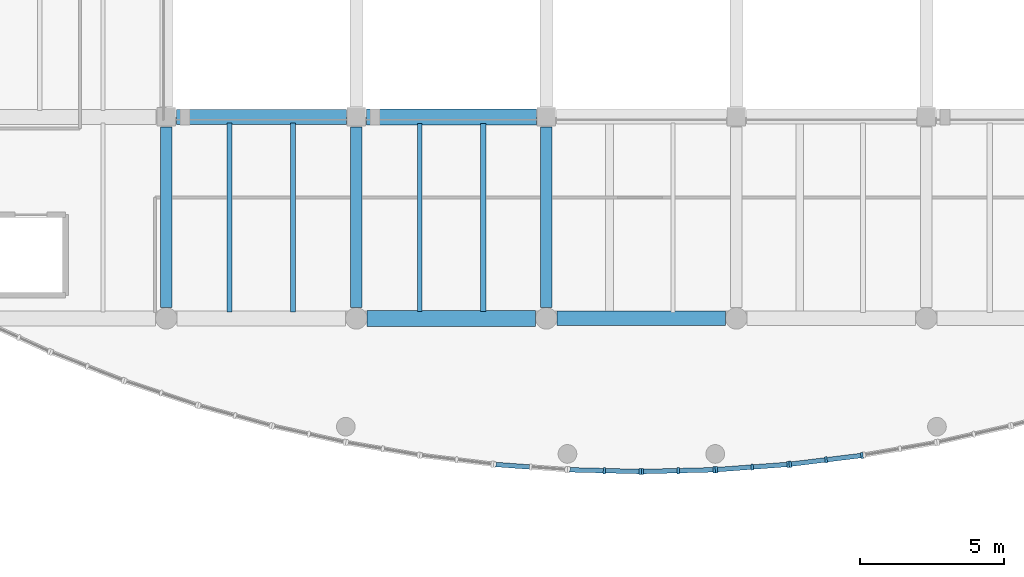
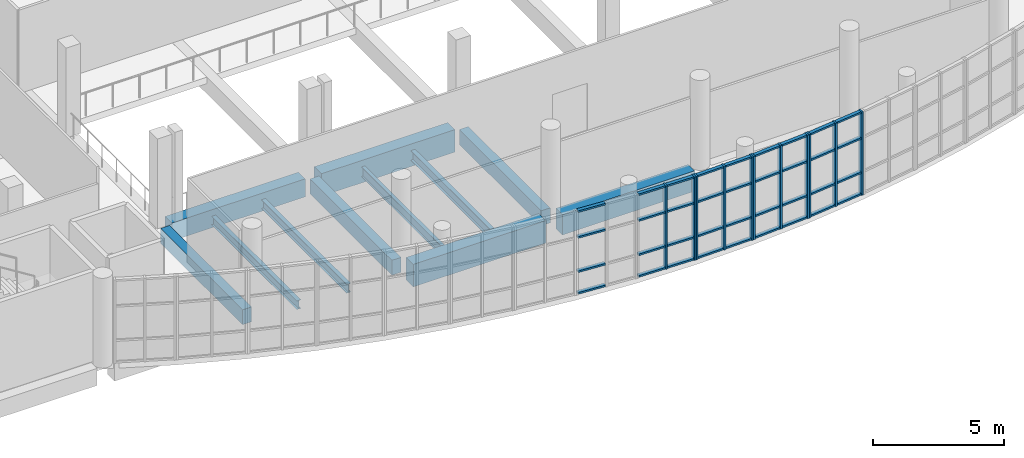
# One storey, part 12 of 68: 47 members, 11 beams, 5 elements without a shape of their own.
"""IFC4 building model written with IfcOpenShell, lengths in metres."""

from ifc_helpers import new_model, si_unit, direction, frame, origin, origin_2d, place, context, subcontext, project, spatial, rectangle, i_section, extrude, material, material_profile, profile_set, type_object, element, aggregate, save


model = new_model("IFC4")

# Units and contexts
model_context = context("Model", 3, precision=1e-05, world=origin(), true_north=direction((0.0, 1.0)))
body_context = subcontext(model_context, "Body", "Model", "MODEL_VIEW")
ifc_project = project(units=[si_unit("LENGTHUNIT", "METRE"), si_unit("AREAUNIT", "SQUARE_METRE"), si_unit("VOLUMEUNIT", "CUBIC_METRE"), si_unit("PLANEANGLEUNIT", "RADIAN"), si_unit("MASSUNIT", "GRAM", prefix="KILO")], contexts=[model_context])

# Site, building, storey
site_placement = place(None, origin())
site = spatial("IfcSite", under=ifc_project, at=site_placement, CompositionType="ELEMENT")
building_placement = place(site_placement, origin())
building = spatial("IfcBuilding", under=site, at=building_placement, Name="Ciguamira Faculty of Natural Sciences", CompositionType="ELEMENT")
storey_placement = place(building_placement, frame((0.0, 0.0, 4.199951171875)))
storey = spatial("IfcBuildingStorey", under=building, at=storey_placement, Name="L01", CompositionType="ELEMENT", Elevation=4.199951171875)

# Curtain wall, members
ifc_material_1 = material(Name="Anodized aluminium curtain wall", Category="aluminium")
curtain_wall_type_1 = type_object("IfcCurtainWallType", Name="CurtainWall_CW-08", PredefinedType="USERDEFINED", material=ifc_material_1)
curtain_wall_1_placement = place(storey_placement, origin())
curtain_wall_1 = element("IfcCurtainWall", 1, at=curtain_wall_1_placement, inside=storey, type_object=curtain_wall_type_1, Name="L01 south gallery curved curtain wall 09", ObjectType="UNITISED CURTAIN WALL", PredefinedType="USERDEFINED")
ifc_material_2 = material(Name="Anodized aluminium mullion", Category="aluminium")
ifc_material_profile_1 = material_profile(ifc_material_2, rectangle(XDim=0.080078125, YDim=0.219970703125, at=origin_2d()), Name="ALU-MUL-80X220")
ifc_profile_set_1 = profile_set([ifc_material_profile_1], Name="Anodized aluminium mullion")
member_type_1 = type_object("IfcMemberType", Name="CWMullion_CWM-03", PredefinedType="MULLION", material=ifc_profile_set_1)
member_1_placement = place(storey_placement, frame((85.716552734375, 4.7099609375, 0.0), z_axis=(0.0, 0.0, 1.0), x_axis=(0.999703662415, -0.024343117197, 0.0)))
member_1 = element("IfcMember", 2, at=member_1_placement, type_object=member_type_1, Name="CW-08 mullion 2", PredefinedType="MULLION", context=body_context, shape_type="SweptSolid", body=[
    extrude(rectangle(XDim=0.080078125, YDim=0.219970703125, at=origin_2d()), origin(), (0.0, 0.0, 1.0), 3.900146484375),
])
member_2_placement = place(storey_placement, frame((86.9599609375, 4.6796875, 0.0), z_axis=(0.0, 0.0, 1.0), x_axis=(0.999703662415, -0.024343117197, 0.0)))
member_2 = element("IfcMember", 3, at=member_2_placement, type_object=member_type_1, Name="CW-08 mullion 3", PredefinedType="MULLION", context=body_context, shape_type="SweptSolid", body=[
    extrude(rectangle(XDim=0.080078125, YDim=0.219970703125, at=origin_2d()), origin(), (0.0, 0.0, 1.0), 3.900146484375),
])

curtain_wall_type_2 = type_object("IfcCurtainWallType", Name="CurtainWall_CW-09", PredefinedType="USERDEFINED", material=ifc_material_1)
curtain_wall_2_placement = place(storey_placement, origin())
curtain_wall_2 = element("IfcCurtainWall", 4, at=curtain_wall_2_placement, inside=storey, type_object=curtain_wall_type_2, Name="L01 south gallery curved curtain wall 10", ObjectType="UNITISED CURTAIN WALL", PredefinedType="USERDEFINED")
member_3_placement = place(storey_placement, frame((87.0400390625, 4.6796875, 0.0), z_axis=(0.0, 0.0, 1.0), x_axis=(0.999703662415, 0.024343117197, 0.0)))
member_3 = element("IfcMember", 5, at=member_3_placement, type_object=member_type_1, Name="CW-09 mullion 1", PredefinedType="MULLION", context=body_context, shape_type="SweptSolid", body=[
    extrude(rectangle(XDim=0.080078125, YDim=0.219970703125, at=origin_2d()), origin(), (0.0, 0.0, 1.0), 3.900146484375),
])
member_4_placement = place(storey_placement, frame((88.283447265625, 4.7099609375, 0.0), z_axis=(0.0, 0.0, 1.0), x_axis=(0.999703662415, 0.024343117197, 0.0)))
member_4 = element("IfcMember", 6, at=member_4_placement, type_object=member_type_1, Name="CW-09 mullion 2", PredefinedType="MULLION", context=body_context, shape_type="SweptSolid", body=[
    extrude(rectangle(XDim=0.080078125, YDim=0.219970703125, at=origin_2d()), origin(), (0.0, 0.0, 1.0), 3.900146484375),
])
member_5_placement = place(storey_placement, frame((89.526611328125, 4.740234375, 0.0), z_axis=(0.0, 0.0, 1.0), x_axis=(0.999703662415, 0.024343117197, 0.0)))
member_5 = element("IfcMember", 7, at=member_5_placement, type_object=member_type_1, Name="CW-09 mullion 3", PredefinedType="MULLION", context=body_context, shape_type="SweptSolid", body=[
    extrude(rectangle(XDim=0.080078125, YDim=0.219970703125, at=origin_2d()), origin(), (0.0, 0.0, 1.0), 3.900146484375),
])

curtain_wall_type_3 = type_object("IfcCurtainWallType", Name="CurtainWall_CW-10", PredefinedType="USERDEFINED", material=ifc_material_1)
curtain_wall_3_placement = place(storey_placement, origin())
curtain_wall_3 = element("IfcCurtainWall", 8, at=curtain_wall_3_placement, inside=storey, type_object=curtain_wall_type_3, Name="L01 south gallery curved curtain wall 11", ObjectType="UNITISED CURTAIN WALL", PredefinedType="USERDEFINED")
member_6_placement = place(storey_placement, frame((89.606689453125, 4.744140625, 0.0), z_axis=(0.0, 0.0, 1.0), x_axis=(0.99733655099, 0.072936986916, 0.0)))
member_6 = element("IfcMember", 9, at=member_6_placement, type_object=member_type_1, Name="CW-10 mullion 1", PredefinedType="MULLION", context=body_context, shape_type="SweptSolid", body=[
    extrude(rectangle(XDim=0.080078125, YDim=0.219970703125, at=origin_2d()), origin(), (0.0, 0.0, 1.0), 3.900146484375),
])
member_7_placement = place(storey_placement, frame((90.85009765625, 4.8349609375, 0.0), z_axis=(0.0, 0.0, 1.0), x_axis=(0.99733655099, 0.072936986916, 0.0)))
member_7 = element("IfcMember", 10, at=member_7_placement, type_object=member_type_1, Name="CW-10 mullion 2", PredefinedType="MULLION", context=body_context, shape_type="SweptSolid", body=[
    extrude(rectangle(XDim=0.080078125, YDim=0.219970703125, at=origin_2d()), origin(), (0.0, 0.0, 1.0), 3.900146484375),
])
member_8_placement = place(storey_placement, frame((92.093505859375, 4.926025390625, 0.0), z_axis=(0.0, 0.0, 1.0), x_axis=(0.99733655099, 0.072936986916, 0.0)))
member_8 = element("IfcMember", 11, at=member_8_placement, type_object=member_type_1, Name="CW-10 mullion 3", PredefinedType="MULLION", context=body_context, shape_type="SweptSolid", body=[
    extrude(rectangle(XDim=0.080078125, YDim=0.219970703125, at=origin_2d()), origin(), (0.0, 0.0, 1.0), 3.900146484375),
])

curtain_wall_type_4 = type_object("IfcCurtainWallType", Name="CurtainWall_CW-11", PredefinedType="USERDEFINED", material=ifc_material_1)
curtain_wall_4_placement = place(storey_placement, origin())
curtain_wall_4 = element("IfcCurtainWall", 12, at=curtain_wall_4_placement, inside=storey, type_object=curtain_wall_type_4, Name="L01 south gallery curved curtain wall 12", ObjectType="UNITISED CURTAIN WALL", PredefinedType="USERDEFINED")
member_9_placement = place(storey_placement, frame((92.173095703125, 4.933837890625, 0.0), z_axis=(0.0, 0.0, 1.0), x_axis=(0.992585912631, 0.12154507825, 0.0)))
member_9 = element("IfcMember", 13, at=member_9_placement, type_object=member_type_1, Name="CW-11 mullion 1", PredefinedType="MULLION", context=body_context, shape_type="SweptSolid", body=[
    extrude(rectangle(XDim=0.080078125, YDim=0.219970703125, at=origin_2d()), origin(), (0.0, 0.0, 1.0), 3.900146484375),
])
member_10_placement = place(storey_placement, frame((93.416748046875, 5.0859375, 0.0), z_axis=(0.0, 0.0, 1.0), x_axis=(0.992585912631, 0.12154507825, 0.0)))
member_10 = element("IfcMember", 14, at=member_10_placement, type_object=member_type_1, Name="CW-11 mullion 2", PredefinedType="MULLION", context=body_context, shape_type="SweptSolid", body=[
    extrude(rectangle(XDim=0.080078125, YDim=0.219970703125, at=origin_2d()), origin(), (0.0, 0.0, 1.0), 3.900146484375),
])
member_11_placement = place(storey_placement, frame((94.660400390625, 5.23828125, 0.0), z_axis=(0.0, 0.0, 1.0), x_axis=(0.992585912631, 0.12154507825, 0.0)))
member_11 = element("IfcMember", 15, at=member_11_placement, type_object=member_type_1, Name="CW-11 mullion 3", PredefinedType="MULLION", context=body_context, shape_type="SweptSolid", body=[
    extrude(rectangle(XDim=0.080078125, YDim=0.219970703125, at=origin_2d()), origin(), (0.0, 0.0, 1.0), 3.900146484375),
])

curtain_wall_type_5 = type_object("IfcCurtainWallType", Name="CurtainWall_CW-07", PredefinedType="USERDEFINED", material=ifc_material_1)
curtain_wall_5_placement = place(storey_placement, origin())
curtain_wall_5 = element("IfcCurtainWall", 16, at=curtain_wall_5_placement, inside=storey, type_object=curtain_wall_type_5, Name="L01 south gallery curved curtain wall 08", ObjectType="UNITISED CURTAIN WALL", PredefinedType="USERDEFINED")
ifc_material_3 = material(Name="Anodized aluminium transom", Category="aluminium")
ifc_material_profile_2 = material_profile(ifc_material_3, rectangle(XDim=0.080078125, YDim=0.159912109375, at=origin_2d()), Name="ALU-TRN-80X160")
ifc_profile_set_2 = profile_set([ifc_material_profile_2], Name="Anodized aluminium transom")
member_type_2 = type_object("IfcMemberType", Name="CWTransom_CWT-03", PredefinedType="USERDEFINED", material=ifc_profile_set_2)
member_12_placement = place(storey_placement, frame((81.946533203125, 4.923095703125, 0.0400390625), z_axis=(0.997329635901, -0.073031481941, 0.0), x_axis=(0.0, 0.0, 1.0)))
member_12 = element("IfcMember", 17, at=member_12_placement, type_object=member_type_2, Name="CW-07 transom 1.1", ObjectType="TRANSOM", PredefinedType="USERDEFINED", context=body_context, shape_type="SweptSolid", body=[
    extrude(rectangle(XDim=0.080078125, YDim=0.159912109375, at=origin_2d()), origin(), (0.0, 0.0, 1.0), 1.166748046875),
])
member_13_placement = place(storey_placement, frame((81.946533203125, 4.923095703125, 1.050048828125), z_axis=(0.997329635901, -0.073031481941, 0.0), x_axis=(0.0, 0.0, 1.0)))
member_13 = element("IfcMember", 18, at=member_13_placement, type_object=member_type_2, Name="CW-07 transom 1.2", ObjectType="TRANSOM", PredefinedType="USERDEFINED", context=body_context, shape_type="SweptSolid", body=[
    extrude(rectangle(XDim=0.080078125, YDim=0.159912109375, at=origin_2d()), origin(), (0.0, 0.0, 1.0), 1.166748046875),
])
member_14_placement = place(storey_placement, frame((81.946533203125, 4.923095703125, 2.650146484375), z_axis=(0.997329635901, -0.073031481941, 0.0), x_axis=(0.0, 0.0, 1.0)))
member_14 = element("IfcMember", 19, at=member_14_placement, type_object=member_type_2, Name="CW-07 transom 1.3", ObjectType="TRANSOM", PredefinedType="USERDEFINED", context=body_context, shape_type="SweptSolid", body=[
    extrude(rectangle(XDim=0.080078125, YDim=0.159912109375, at=origin_2d()), origin(), (0.0, 0.0, 1.0), 1.166748046875),
])
member_15_placement = place(storey_placement, frame((81.946533203125, 4.923095703125, 3.860107421875), z_axis=(0.997329635901, -0.073031481941, 0.0), x_axis=(0.0, 0.0, 1.0)))
member_15 = element("IfcMember", 20, at=member_15_placement, type_object=member_type_2, Name="CW-07 transom 1.4", ObjectType="TRANSOM", PredefinedType="USERDEFINED", context=body_context, shape_type="SweptSolid", body=[
    extrude(rectangle(XDim=0.080078125, YDim=0.159912109375, at=origin_2d()), origin(), (0.0, 0.0, 1.0), 1.166748046875),
])
aggregate(curtain_wall_5, [member_12, member_13, member_14, member_15])

# Member
member_16_placement = place(storey_placement, frame((84.51318359375, 4.7392578125, 0.0400390625), z_axis=(0.999703936407, -0.024331862489, 0.0), x_axis=(0.0, 0.0, 1.0)))
member_16 = element("IfcMember", 21, at=member_16_placement, type_object=member_type_2, Name="CW-08 transom 1.1", ObjectType="TRANSOM", PredefinedType="USERDEFINED", context=body_context, shape_type="SweptSolid", body=[
    extrude(rectangle(XDim=0.080078125, YDim=0.159912109375, at=origin_2d()), origin(), (0.0, 0.0, 1.0), 1.163818359375),
])

member_17_placement = place(storey_placement, frame((84.51318359375, 4.7392578125, 1.050048828125), z_axis=(0.999703936407, -0.024331862489, 0.0), x_axis=(0.0, 0.0, 1.0)))
member_17 = element("IfcMember", 22, at=member_17_placement, type_object=member_type_2, Name="CW-08 transom 1.2", ObjectType="TRANSOM", PredefinedType="USERDEFINED", context=body_context, shape_type="SweptSolid", body=[
    extrude(rectangle(XDim=0.080078125, YDim=0.159912109375, at=origin_2d()), origin(), (0.0, 0.0, 1.0), 1.163818359375),
])

member_18_placement = place(storey_placement, frame((84.51318359375, 4.7392578125, 2.650146484375), z_axis=(0.999703936407, -0.024331862489, 0.0), x_axis=(0.0, 0.0, 1.0)))
member_18 = element("IfcMember", 23, at=member_18_placement, type_object=member_type_2, Name="CW-08 transom 1.3", ObjectType="TRANSOM", PredefinedType="USERDEFINED", context=body_context, shape_type="SweptSolid", body=[
    extrude(rectangle(XDim=0.080078125, YDim=0.159912109375, at=origin_2d()), origin(), (0.0, 0.0, 1.0), 1.163818359375),
])

member_19_placement = place(storey_placement, frame((84.51318359375, 4.7392578125, 3.860107421875), z_axis=(0.999703936407, -0.024331862489, 0.0), x_axis=(0.0, 0.0, 1.0)))
member_19 = element("IfcMember", 24, at=member_19_placement, type_object=member_type_2, Name="CW-08 transom 1.4", ObjectType="TRANSOM", PredefinedType="USERDEFINED", context=body_context, shape_type="SweptSolid", body=[
    extrude(rectangle(XDim=0.080078125, YDim=0.159912109375, at=origin_2d()), origin(), (0.0, 0.0, 1.0), 1.163818359375),
])

member_20_placement = place(storey_placement, frame((85.756591796875, 4.708984375, 0.0400390625), z_axis=(0.999703812183, -0.024336965837, 0.0), x_axis=(0.0, 0.0, 1.0)))
member_20 = element("IfcMember", 25, at=member_20_placement, type_object=member_type_2, Name="CW-08 transom 2.1", ObjectType="TRANSOM", PredefinedType="USERDEFINED", context=body_context, shape_type="SweptSolid", body=[
    extrude(rectangle(XDim=0.080078125, YDim=0.159912109375, at=origin_2d()), origin(), (0.0, 0.0, 1.0), 1.16357421875),
])

member_21_placement = place(storey_placement, frame((85.756591796875, 4.708984375, 1.050048828125), z_axis=(0.999703812183, -0.024336965837, 0.0), x_axis=(0.0, 0.0, 1.0)))
member_21 = element("IfcMember", 26, at=member_21_placement, type_object=member_type_2, Name="CW-08 transom 2.2", ObjectType="TRANSOM", PredefinedType="USERDEFINED", context=body_context, shape_type="SweptSolid", body=[
    extrude(rectangle(XDim=0.080078125, YDim=0.159912109375, at=origin_2d()), origin(), (0.0, 0.0, 1.0), 1.16357421875),
])

member_22_placement = place(storey_placement, frame((85.756591796875, 4.708984375, 2.650146484375), z_axis=(0.999703812183, -0.024336965837, 0.0), x_axis=(0.0, 0.0, 1.0)))
member_22 = element("IfcMember", 27, at=member_22_placement, type_object=member_type_2, Name="CW-08 transom 2.3", ObjectType="TRANSOM", PredefinedType="USERDEFINED", context=body_context, shape_type="SweptSolid", body=[
    extrude(rectangle(XDim=0.080078125, YDim=0.159912109375, at=origin_2d()), origin(), (0.0, 0.0, 1.0), 1.16357421875),
])

member_23_placement = place(storey_placement, frame((85.756591796875, 4.708984375, 3.860107421875), z_axis=(0.999703812183, -0.024336965837, 0.0), x_axis=(0.0, 0.0, 1.0)))
member_23 = element("IfcMember", 28, at=member_23_placement, type_object=member_type_2, Name="CW-08 transom 2.4", ObjectType="TRANSOM", PredefinedType="USERDEFINED", context=body_context, shape_type="SweptSolid", body=[
    extrude(rectangle(XDim=0.080078125, YDim=0.159912109375, at=origin_2d()), origin(), (0.0, 0.0, 1.0), 1.16357421875),
])

aggregate(curtain_wall_1, [member_1, member_2, member_16, member_17, member_18, member_19, member_20, member_21, member_22, member_23])

member_24_placement = place(storey_placement, frame((87.080078125, 4.6806640625, 0.0400390625), z_axis=(0.999703812183, 0.024336965837, 0.0), x_axis=(0.0, 0.0, 1.0)))
member_24 = element("IfcMember", 29, at=member_24_placement, type_object=member_type_2, Name="CW-09 transom 1.1", ObjectType="TRANSOM", PredefinedType="USERDEFINED", context=body_context, shape_type="SweptSolid", body=[
    extrude(rectangle(XDim=0.080078125, YDim=0.159912109375, at=origin_2d()), origin(), (0.0, 0.0, 1.0), 1.16357421875),
])

member_25_placement = place(storey_placement, frame((87.080078125, 4.6806640625, 1.050048828125), z_axis=(0.999703812183, 0.024336965837, 0.0), x_axis=(0.0, 0.0, 1.0)))
member_25 = element("IfcMember", 30, at=member_25_placement, type_object=member_type_2, Name="CW-09 transom 1.2", ObjectType="TRANSOM", PredefinedType="USERDEFINED", context=body_context, shape_type="SweptSolid", body=[
    extrude(rectangle(XDim=0.080078125, YDim=0.159912109375, at=origin_2d()), origin(), (0.0, 0.0, 1.0), 1.16357421875),
])

member_26_placement = place(storey_placement, frame((87.080078125, 4.6806640625, 2.650146484375), z_axis=(0.999703812183, 0.024336965837, 0.0), x_axis=(0.0, 0.0, 1.0)))
member_26 = element("IfcMember", 31, at=member_26_placement, type_object=member_type_2, Name="CW-09 transom 1.3", ObjectType="TRANSOM", PredefinedType="USERDEFINED", context=body_context, shape_type="SweptSolid", body=[
    extrude(rectangle(XDim=0.080078125, YDim=0.159912109375, at=origin_2d()), origin(), (0.0, 0.0, 1.0), 1.16357421875),
])

member_27_placement = place(storey_placement, frame((87.080078125, 4.6806640625, 3.860107421875), z_axis=(0.999703812183, 0.024336965837, 0.0), x_axis=(0.0, 0.0, 1.0)))
member_27 = element("IfcMember", 32, at=member_27_placement, type_object=member_type_2, Name="CW-09 transom 1.4", ObjectType="TRANSOM", PredefinedType="USERDEFINED", context=body_context, shape_type="SweptSolid", body=[
    extrude(rectangle(XDim=0.080078125, YDim=0.159912109375, at=origin_2d()), origin(), (0.0, 0.0, 1.0), 1.16357421875),
])

member_28_placement = place(storey_placement, frame((88.3232421875, 4.7109375, 0.0400390625), z_axis=(0.999703936407, 0.024331862489, 0.0), x_axis=(0.0, 0.0, 1.0)))
member_28 = element("IfcMember", 33, at=member_28_placement, type_object=member_type_2, Name="CW-09 transom 2.1", ObjectType="TRANSOM", PredefinedType="USERDEFINED", context=body_context, shape_type="SweptSolid", body=[
    extrude(rectangle(XDim=0.080078125, YDim=0.159912109375, at=origin_2d()), origin(), (0.0, 0.0, 1.0), 1.163818359375),
])

member_29_placement = place(storey_placement, frame((88.3232421875, 4.7109375, 1.050048828125), z_axis=(0.999703936407, 0.024331862489, 0.0), x_axis=(0.0, 0.0, 1.0)))
member_29 = element("IfcMember", 34, at=member_29_placement, type_object=member_type_2, Name="CW-09 transom 2.2", ObjectType="TRANSOM", PredefinedType="USERDEFINED", context=body_context, shape_type="SweptSolid", body=[
    extrude(rectangle(XDim=0.080078125, YDim=0.159912109375, at=origin_2d()), origin(), (0.0, 0.0, 1.0), 1.163818359375),
])

member_30_placement = place(storey_placement, frame((88.3232421875, 4.7109375, 2.650146484375), z_axis=(0.999703936407, 0.024331862489, 0.0), x_axis=(0.0, 0.0, 1.0)))
member_30 = element("IfcMember", 35, at=member_30_placement, type_object=member_type_2, Name="CW-09 transom 2.3", ObjectType="TRANSOM", PredefinedType="USERDEFINED", context=body_context, shape_type="SweptSolid", body=[
    extrude(rectangle(XDim=0.080078125, YDim=0.159912109375, at=origin_2d()), origin(), (0.0, 0.0, 1.0), 1.163818359375),
])

member_31_placement = place(storey_placement, frame((88.3232421875, 4.7109375, 3.860107421875), z_axis=(0.999703936407, 0.024331862489, 0.0), x_axis=(0.0, 0.0, 1.0)))
member_31 = element("IfcMember", 36, at=member_31_placement, type_object=member_type_2, Name="CW-09 transom 2.4", ObjectType="TRANSOM", PredefinedType="USERDEFINED", context=body_context, shape_type="SweptSolid", body=[
    extrude(rectangle(XDim=0.080078125, YDim=0.159912109375, at=origin_2d()), origin(), (0.0, 0.0, 1.0), 1.163818359375),
])

aggregate(curtain_wall_2, [member_3, member_4, member_5, member_24, member_25, member_26, member_27, member_28, member_29, member_30, member_31])

member_32_placement = place(storey_placement, frame((89.646484375, 4.7470703125, 0.0400390625), z_axis=(0.997344856117, 0.072823334018, 0.0), x_axis=(0.0, 0.0, 1.0)))
member_32 = element("IfcMember", 37, at=member_32_placement, type_object=member_type_2, Name="CW-10 transom 1.1", ObjectType="TRANSOM", PredefinedType="USERDEFINED", context=body_context, shape_type="SweptSolid", body=[
    extrude(rectangle(XDim=0.080078125, YDim=0.159912109375, at=origin_2d()), origin(), (0.0, 0.0, 1.0), 1.166748046875),
])

member_33_placement = place(storey_placement, frame((89.646484375, 4.7470703125, 1.050048828125), z_axis=(0.997344856117, 0.072823334018, 0.0), x_axis=(0.0, 0.0, 1.0)))
member_33 = element("IfcMember", 38, at=member_33_placement, type_object=member_type_2, Name="CW-10 transom 1.2", ObjectType="TRANSOM", PredefinedType="USERDEFINED", context=body_context, shape_type="SweptSolid", body=[
    extrude(rectangle(XDim=0.080078125, YDim=0.159912109375, at=origin_2d()), origin(), (0.0, 0.0, 1.0), 1.166748046875),
])

member_34_placement = place(storey_placement, frame((89.646484375, 4.7470703125, 2.650146484375), z_axis=(0.997344856117, 0.072823334018, 0.0), x_axis=(0.0, 0.0, 1.0)))
member_34 = element("IfcMember", 39, at=member_34_placement, type_object=member_type_2, Name="CW-10 transom 1.3", ObjectType="TRANSOM", PredefinedType="USERDEFINED", context=body_context, shape_type="SweptSolid", body=[
    extrude(rectangle(XDim=0.080078125, YDim=0.159912109375, at=origin_2d()), origin(), (0.0, 0.0, 1.0), 1.166748046875),
])

member_35_placement = place(storey_placement, frame((89.646484375, 4.7470703125, 3.860107421875), z_axis=(0.997344856117, 0.072823334018, 0.0), x_axis=(0.0, 0.0, 1.0)))
member_35 = element("IfcMember", 40, at=member_35_placement, type_object=member_type_2, Name="CW-10 transom 1.4", ObjectType="TRANSOM", PredefinedType="USERDEFINED", context=body_context, shape_type="SweptSolid", body=[
    extrude(rectangle(XDim=0.080078125, YDim=0.159912109375, at=origin_2d()), origin(), (0.0, 0.0, 1.0), 1.166748046875),
])

member_36_placement = place(storey_placement, frame((90.889892578125, 4.837890625, 0.0400390625), z_axis=(0.997329635901, 0.073031481941, 0.0), x_axis=(0.0, 0.0, 1.0)))
member_36 = element("IfcMember", 41, at=member_36_placement, type_object=member_type_2, Name="CW-10 transom 2.1", ObjectType="TRANSOM", PredefinedType="USERDEFINED", context=body_context, shape_type="SweptSolid", body=[
    extrude(rectangle(XDim=0.080078125, YDim=0.159912109375, at=origin_2d()), origin(), (0.0, 0.0, 1.0), 1.166748046875),
])

member_37_placement = place(storey_placement, frame((90.889892578125, 4.837890625, 1.050048828125), z_axis=(0.997329635901, 0.073031481941, 0.0), x_axis=(0.0, 0.0, 1.0)))
member_37 = element("IfcMember", 42, at=member_37_placement, type_object=member_type_2, Name="CW-10 transom 2.2", ObjectType="TRANSOM", PredefinedType="USERDEFINED", context=body_context, shape_type="SweptSolid", body=[
    extrude(rectangle(XDim=0.080078125, YDim=0.159912109375, at=origin_2d()), origin(), (0.0, 0.0, 1.0), 1.166748046875),
])

member_38_placement = place(storey_placement, frame((90.889892578125, 4.837890625, 2.650146484375), z_axis=(0.997329635901, 0.073031481941, 0.0), x_axis=(0.0, 0.0, 1.0)))
member_38 = element("IfcMember", 43, at=member_38_placement, type_object=member_type_2, Name="CW-10 transom 2.3", ObjectType="TRANSOM", PredefinedType="USERDEFINED", context=body_context, shape_type="SweptSolid", body=[
    extrude(rectangle(XDim=0.080078125, YDim=0.159912109375, at=origin_2d()), origin(), (0.0, 0.0, 1.0), 1.166748046875),
])

member_39_placement = place(storey_placement, frame((90.889892578125, 4.837890625, 3.860107421875), z_axis=(0.997329635901, 0.073031481941, 0.0), x_axis=(0.0, 0.0, 1.0)))
member_39 = element("IfcMember", 44, at=member_39_placement, type_object=member_type_2, Name="CW-10 transom 2.4", ObjectType="TRANSOM", PredefinedType="USERDEFINED", context=body_context, shape_type="SweptSolid", body=[
    extrude(rectangle(XDim=0.080078125, YDim=0.159912109375, at=origin_2d()), origin(), (0.0, 0.0, 1.0), 1.166748046875),
])

aggregate(curtain_wall_3, [member_6, member_7, member_8, member_32, member_33, member_34, member_35, member_36, member_37, member_38, member_39])

member_40_placement = place(storey_placement, frame((92.212646484375, 4.938720703125, 0.0400390625), z_axis=(0.992585363796, 0.121549560171, 0.0), x_axis=(0.0, 0.0, 1.0)))
member_40 = element("IfcMember", 45, at=member_40_placement, type_object=member_type_2, Name="CW-11 transom 1.1", ObjectType="TRANSOM", PredefinedType="USERDEFINED", context=body_context, shape_type="SweptSolid", body=[
    extrude(rectangle(XDim=0.080078125, YDim=0.159912109375, at=origin_2d()), origin(), (0.0, 0.0, 1.0), 1.173095703125),
])

member_41_placement = place(storey_placement, frame((92.212646484375, 4.938720703125, 1.050048828125), z_axis=(0.992585363796, 0.121549560171, 0.0), x_axis=(0.0, 0.0, 1.0)))
member_41 = element("IfcMember", 46, at=member_41_placement, type_object=member_type_2, Name="CW-11 transom 1.2", ObjectType="TRANSOM", PredefinedType="USERDEFINED", context=body_context, shape_type="SweptSolid", body=[
    extrude(rectangle(XDim=0.080078125, YDim=0.159912109375, at=origin_2d()), origin(), (0.0, 0.0, 1.0), 1.173095703125),
])

member_42_placement = place(storey_placement, frame((92.212646484375, 4.938720703125, 2.650146484375), z_axis=(0.992585363796, 0.121549560171, 0.0), x_axis=(0.0, 0.0, 1.0)))
member_42 = element("IfcMember", 47, at=member_42_placement, type_object=member_type_2, Name="CW-11 transom 1.3", ObjectType="TRANSOM", PredefinedType="USERDEFINED", context=body_context, shape_type="SweptSolid", body=[
    extrude(rectangle(XDim=0.080078125, YDim=0.159912109375, at=origin_2d()), origin(), (0.0, 0.0, 1.0), 1.173095703125),
])

member_43_placement = place(storey_placement, frame((92.212646484375, 4.938720703125, 3.860107421875), z_axis=(0.992585363796, 0.121549560171, 0.0), x_axis=(0.0, 0.0, 1.0)))
member_43 = element("IfcMember", 48, at=member_43_placement, type_object=member_type_2, Name="CW-11 transom 1.4", ObjectType="TRANSOM", PredefinedType="USERDEFINED", context=body_context, shape_type="SweptSolid", body=[
    extrude(rectangle(XDim=0.080078125, YDim=0.159912109375, at=origin_2d()), origin(), (0.0, 0.0, 1.0), 1.173095703125),
])

member_44_placement = place(storey_placement, frame((93.456298828125, 5.0908203125, 0.0400390625), z_axis=(0.992585363796, 0.121549560171, 0.0), x_axis=(0.0, 0.0, 1.0)))
member_44 = element("IfcMember", 49, at=member_44_placement, type_object=member_type_2, Name="CW-11 transom 2.1", ObjectType="TRANSOM", PredefinedType="USERDEFINED", context=body_context, shape_type="SweptSolid", body=[
    extrude(rectangle(XDim=0.080078125, YDim=0.159912109375, at=origin_2d()), origin(), (0.0, 0.0, 1.0), 1.173095703125),
])

member_45_placement = place(storey_placement, frame((93.456298828125, 5.0908203125, 1.050048828125), z_axis=(0.992585363796, 0.121549560171, 0.0), x_axis=(0.0, 0.0, 1.0)))
member_45 = element("IfcMember", 50, at=member_45_placement, type_object=member_type_2, Name="CW-11 transom 2.2", ObjectType="TRANSOM", PredefinedType="USERDEFINED", context=body_context, shape_type="SweptSolid", body=[
    extrude(rectangle(XDim=0.080078125, YDim=0.159912109375, at=origin_2d()), origin(), (0.0, 0.0, 1.0), 1.173095703125),
])

member_46_placement = place(storey_placement, frame((93.456298828125, 5.0908203125, 2.650146484375), z_axis=(0.992585363796, 0.121549560171, 0.0), x_axis=(0.0, 0.0, 1.0)))
member_46 = element("IfcMember", 51, at=member_46_placement, type_object=member_type_2, Name="CW-11 transom 2.3", ObjectType="TRANSOM", PredefinedType="USERDEFINED", context=body_context, shape_type="SweptSolid", body=[
    extrude(rectangle(XDim=0.080078125, YDim=0.159912109375, at=origin_2d()), origin(), (0.0, 0.0, 1.0), 1.173095703125),
])

member_47_placement = place(storey_placement, frame((93.456298828125, 5.0908203125, 3.860107421875), z_axis=(0.992585363796, 0.121549560171, 0.0), x_axis=(0.0, 0.0, 1.0)))
member_47 = element("IfcMember", 52, at=member_47_placement, type_object=member_type_2, Name="CW-11 transom 2.4", ObjectType="TRANSOM", PredefinedType="USERDEFINED", context=body_context, shape_type="SweptSolid", body=[
    extrude(rectangle(XDim=0.080078125, YDim=0.159912109375, at=origin_2d()), origin(), (0.0, 0.0, 1.0), 1.173095703125),
])

aggregate(curtain_wall_4, [member_9, member_10, member_11, member_40, member_41, member_42, member_43, member_44, member_45, member_46, member_47])

# Beams
ifc_material_4 = material(Name="Concrete C40/50", Category="concrete")
ifc_material_profile_3 = material_profile(ifc_material_4, rectangle(XDim=0.550048828125, YDim=1.050048828125, at=origin_2d()), Name="RC-BM-550X1050")
ifc_profile_set_3 = profile_set([ifc_material_profile_3], Name="Concrete C40/50")
beam_type_1 = type_object("IfcBeamType", Name="RCBeam_BG-01_RC-BM-550X1050", PredefinedType="BEAM", material=ifc_profile_set_3)
beam_1_placement = place(storey_placement, frame((77.47509765625, 10.0, -0.52490234375), z_axis=(1.0, 0.0, 0.0), x_axis=(0.0, 1.0, 0.0)))
element("IfcBeam", 53, at=beam_1_placement, inside=storey, type_object=beam_type_1, Name="L01 RC girder EW-0383", PredefinedType="BEAM", context=body_context, shape_type="SweptSolid", body=[
    extrude(rectangle(XDim=0.550048828125, YDim=1.050048828125, at=origin_2d()), origin(), (0.0, 0.0, 1.0), 5.849853515625),
])
beam_2_placement = place(storey_placement, frame((77.449951171875, 17.0, -0.52490234375), z_axis=(1.0, 0.0, 0.0), x_axis=(0.0, 1.0, 0.0)))
element("IfcBeam", 54, at=beam_2_placement, inside=storey, type_object=beam_type_1, Name="L01 RC girder EW-0401", PredefinedType="BEAM", context=body_context, shape_type="SweptSolid", body=[
    extrude(rectangle(XDim=0.550048828125, YDim=1.050048828125, at=origin_2d()), origin(), (0.0, 0.0, 1.0), 5.900146484375),
])
ifc_material_profile_4 = material_profile(ifc_material_4, rectangle(XDim=0.5, YDim=0.949951171875, at=origin_2d()), Name="RC-BM-500X950")
ifc_profile_set_4 = profile_set([ifc_material_profile_4], Name="Concrete C40/50")
beam_type_2 = type_object("IfcBeamType", Name="RCBeam_BG-02_RC-BM-500X950", PredefinedType="BEAM", material=ifc_profile_set_4)
beam_3_placement = place(storey_placement, frame((84.074951171875, 10.0, -0.474853515625), z_axis=(1.0, 0.0, 0.0), x_axis=(0.0, 1.0, 0.0)))
element("IfcBeam", 55, at=beam_3_placement, inside=storey, type_object=beam_type_2, Name="L01 RC girder EW-0384", PredefinedType="BEAM", context=body_context, shape_type="SweptSolid", body=[
    extrude(rectangle(XDim=0.5, YDim=0.949951171875, at=origin_2d()), origin(), (0.0, 0.0, 1.0), 5.85009765625),
])
ifc_material_profile_5 = material_profile(ifc_material_4, rectangle(XDim=0.39990234375, YDim=0.699951171875, at=origin_2d()), Name="RC-BM-400X700")
ifc_profile_set_5 = profile_set([ifc_material_profile_5], Name="Concrete C40/50")
beam_type_3 = type_object("IfcBeamType", Name="RCBeam_BG-08_RC-BM-400X700", PredefinedType="BEAM", material=ifc_profile_set_5)
for number, where, z_axis, x_axis, name in (
    (56, (70.5, 10.375, -0.349853515625), (0.0, 1.0, 0.0), (-1.0, 0.0, 0.0), "L01 girder NS-0595"),
    (57, (77.10009765625, 10.375, -0.349853515625), (0.0, 1.0, 0.0), (-1.0, 0.0, 0.0), "L01 girder NS-0607"),
    (58, (83.699951171875, 10.375, -0.349853515625), (0.0, 1.0, 0.0), (-1.0, 0.0, 0.0), "L01 girder NS-0618"),
):
    element("IfcBeam", number, at=place(storey_placement, frame(where, z_axis=z_axis, x_axis=x_axis)), inside=storey, type_object=beam_type_3, Name=name, PredefinedType="BEAM", context=body_context, shape_type="SweptSolid", body=[
        extrude(rectangle(XDim=0.39990234375, YDim=0.699951171875, at=origin_2d()), origin(), (0.0, 0.0, 1.0), 6.27490234375),
    ])
ifc_material_profile_6 = material_profile(ifc_material_4, rectangle(XDim=0.52001953125, YDim=0.840087890625, at=origin_2d()), Name="RC-TB-520X840")
ifc_profile_set_6 = profile_set([ifc_material_profile_6], Name="Concrete C40/50")
beam_type_4 = type_object("IfcBeamType", Name="RCBeam_TB-02_RC-TB-520X840", PredefinedType="T_BEAM", material=ifc_profile_set_6)
beam_4_placement = place(storey_placement, frame((70.85009765625, 17.0, -0.419921875), z_axis=(1.0, 0.0, 0.0), x_axis=(0.0, 1.0, 0.0)))
element("IfcBeam", 59, at=beam_4_placement, inside=storey, type_object=beam_type_4, Name="L01 RC girder EW-0400", PredefinedType="T_BEAM", context=body_context, shape_type="SweptSolid", body=[
    extrude(rectangle(XDim=0.52001953125, YDim=0.840087890625, at=origin_2d()), origin(), (0.0, 0.0, 1.0), 5.89990234375),
])
ifc_material_5 = material(Name="Steel ASTM A992 Grade 50", Category="steel")
ifc_material_profile_7 = material_profile(ifc_material_5, i_section(OverallWidth=0.1787109375, OverallDepth=0.408935546875, WebThickness=0.0087890625, FlangeThickness=0.014404296875, at=origin_2d()), Name="W16X45")
ifc_profile_set_7 = profile_set([ifc_material_profile_7], Name="Steel ASTM A992 Grade 50")
beam_type_5 = type_object("IfcBeamType", Name="SteelJoist_SJ-19_W16X45", PredefinedType="JOIST", material=ifc_profile_set_7)
beam_5_placement = place(storey_placement, frame((72.699951171875, 10.219970703125, -0.50439453125), z_axis=(0.0, 1.0, 0.0), x_axis=(-1.0, 0.0, 0.0)))
element("IfcBeam", 60, at=beam_5_placement, inside=storey, type_object=beam_type_5, Name="L01 composite steel joist 00443", PredefinedType="JOIST", context=body_context, shape_type="SweptSolid", body=[
    extrude(i_section(OverallWidth=0.1787109375, OverallDepth=0.408935546875, WebThickness=0.0087890625, FlangeThickness=0.014404296875, at=origin_2d()), origin(), (0.0, 0.0, 1.0), 6.56005859375),
])
ifc_material_profile_8 = material_profile(ifc_material_5, i_section(OverallWidth=0.180908203125, OverallDepth=0.41650390625, WebThickness=0.010986328125, FlangeThickness=0.01806640625, at=origin_2d()), Name="W16X57")
ifc_profile_set_8 = profile_set([ifc_material_profile_8], Name="Steel ASTM A992 Grade 50")
beam_type_6 = type_object("IfcBeamType", Name="SteelJoist_SJ-20_W16X57", PredefinedType="JOIST", material=ifc_profile_set_8)
beam_6_placement = place(storey_placement, frame((74.89990234375, 10.219970703125, -0.50830078125), z_axis=(0.0, 1.0, 0.0), x_axis=(-1.0, 0.0, 0.0)))
element("IfcBeam", 61, at=beam_6_placement, inside=storey, type_object=beam_type_6, Name="L01 composite steel joist 00444", PredefinedType="JOIST", context=body_context, shape_type="SweptSolid", body=[
    extrude(i_section(OverallWidth=0.180908203125, OverallDepth=0.41650390625, WebThickness=0.010986328125, FlangeThickness=0.01806640625, at=origin_2d()), origin(), (0.0, 0.0, 1.0), 6.56005859375),
])
ifc_material_profile_9 = material_profile(ifc_material_5, i_section(OverallWidth=0.15283203125, OverallDepth=0.45458984375, WebThickness=0.008056640625, FlangeThickness=0.013427734375, at=origin_2d()), Name="W18X40")
ifc_profile_set_9 = profile_set([ifc_material_profile_9], Name="Steel ASTM A992 Grade 50")
beam_type_7 = type_object("IfcBeamType", Name="SteelJoist_SJ-22_W18X40", PredefinedType="JOIST", material=ifc_profile_set_9)
beam_7_placement = place(storey_placement, frame((79.300048828125, 10.235107421875, -0.52734375), z_axis=(0.0, 1.0, 0.0), x_axis=(-1.0, 0.0, 0.0)))
element("IfcBeam", 62, at=beam_7_placement, inside=storey, type_object=beam_type_7, Name="L01 composite steel joist 00468", PredefinedType="JOIST", context=body_context, shape_type="SweptSolid", body=[
    extrude(i_section(OverallWidth=0.15283203125, OverallDepth=0.45458984375, WebThickness=0.008056640625, FlangeThickness=0.013427734375, at=origin_2d()), origin(), (0.0, 0.0, 1.0), 6.52978515625),
])
ifc_material_profile_10 = material_profile(ifc_material_5, i_section(OverallWidth=0.1904296875, OverallDepth=0.457275390625, WebThickness=0.009033203125, FlangeThickness=0.014404296875, at=origin_2d()), Name="W18X50")
ifc_profile_set_10 = profile_set([ifc_material_profile_10], Name="Steel ASTM A992 Grade 50")
beam_type_8 = type_object("IfcBeamType", Name="SteelJoist_SJ-23_W18X50", PredefinedType="JOIST", material=ifc_profile_set_10)
beam_8_placement = place(storey_placement, frame((81.5, 10.235107421875, -0.528564453125), z_axis=(0.0, 1.0, 0.0), x_axis=(-1.0, 0.0, 0.0)))
element("IfcBeam", 63, at=beam_8_placement, inside=storey, type_object=beam_type_8, Name="L01 composite steel joist 00469", PredefinedType="JOIST", context=body_context, shape_type="SweptSolid", body=[
    extrude(i_section(OverallWidth=0.1904296875, OverallDepth=0.457275390625, WebThickness=0.009033203125, FlangeThickness=0.014404296875, at=origin_2d()), origin(), (0.0, 0.0, 1.0), 6.52978515625),
])

save(model, "model.ifc")
